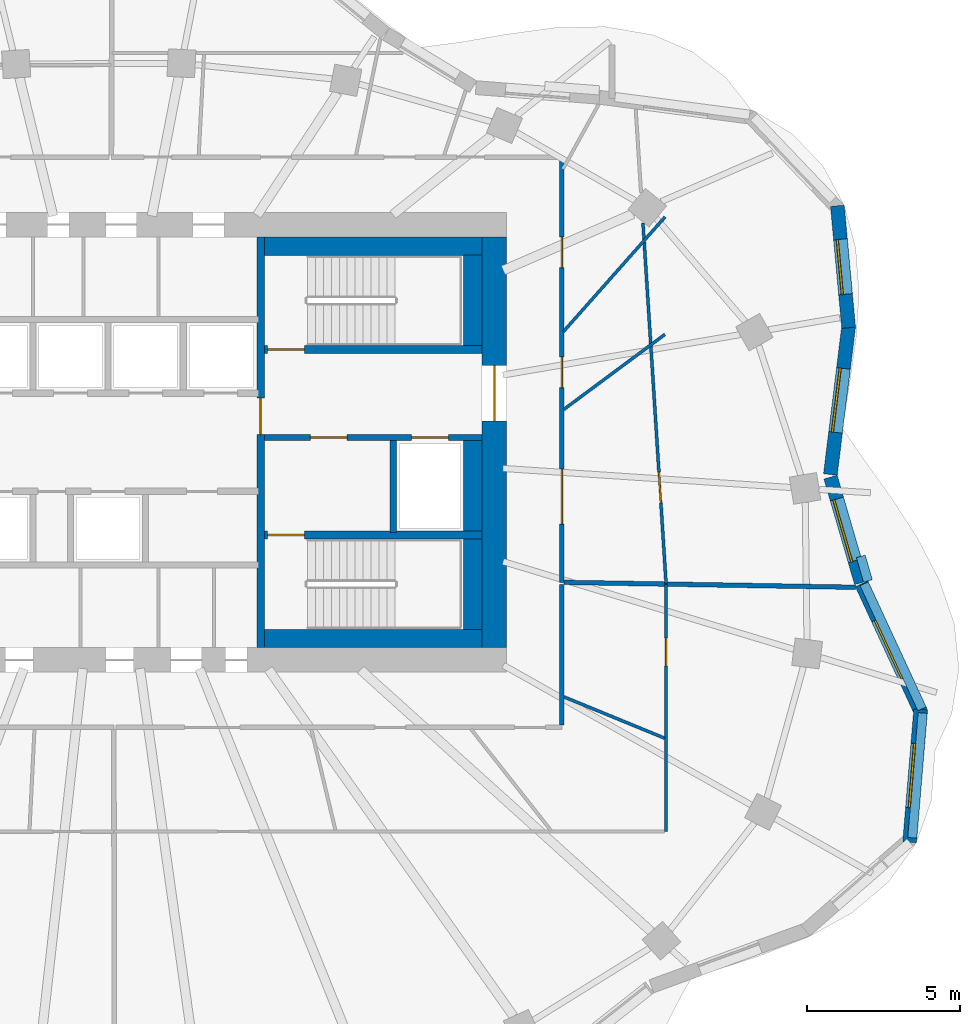
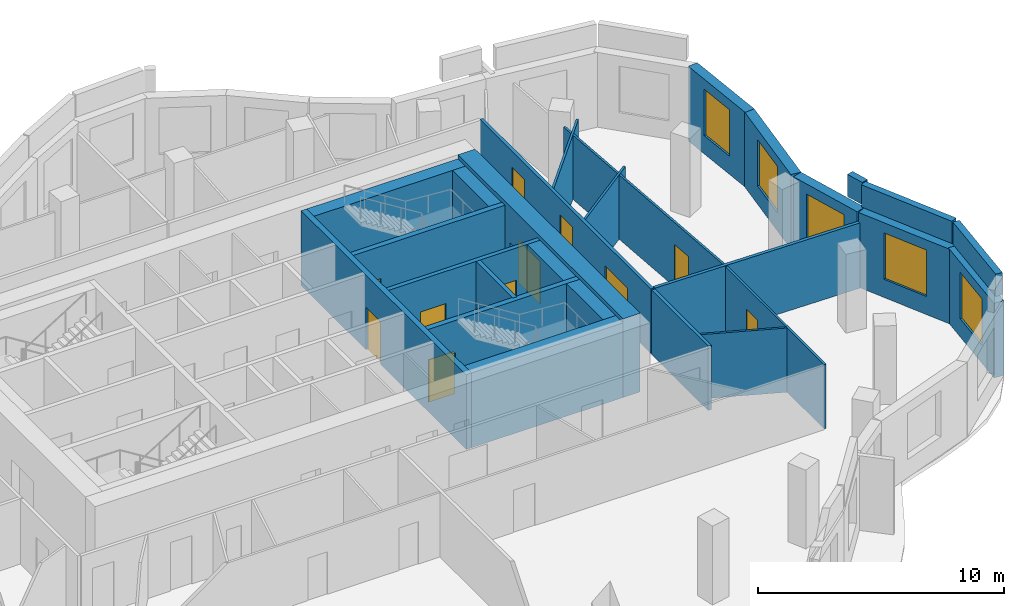
# One storey, part 6 of 9: 27 walls, 11 doors, 5 windows, 16 openings.
"""IFC4 building model written with IfcOpenShell, lengths in metres."""

import ifcopenshell
import ifcopenshell.guid

model = None  # the IFC model being written
_history = None  # IfcOwnerHistory: only IFC2X3 demands one
_inside = {}  # id of a spatial element -> (the spatial element, [elements in it])
_under = {}  # id of a project, library or spatial element -> (it, [spatial elements below it])
_declared = {}  # id of a project -> (the project, [libraries it declares])
_typed = {}  # id of a type object -> (the type object, [elements of that type])
_made_of = {}  # id of a material, layer set ... -> (it, [elements and type objects made of it])


def new_model(schema):
    """Start an empty IFC model of exactly this schema.

    Asked for "IFC4X3", IfcOpenShell would pick the latest addendum, in which some entities
    have other attributes; the version numbers below select the first issue.
    IFC2X3 requires an IfcOwnerHistory on every rooted entity: one is made here for all.
    """
    global model, _history
    if schema == "IFC4X3":
        model = ifcopenshell.file(schema_version=(4, 3, 0, 0))
    else:
        model = ifcopenshell.file(schema=schema)
    _inside.clear()
    _under.clear()
    _declared.clear()
    _typed.clear()
    _made_of.clear()
    _history = None
    if model.schema == "IFC2X3":
        org = make("IfcOrganization", Name="unknown")
        user = make(
            "IfcPersonAndOrganization",
            ThePerson=make("IfcPerson", FamilyName="unknown"),
            TheOrganization=org,
        )
        app = make(
            "IfcApplication",
            ApplicationDeveloper=org,
            Version="unknown",
            ApplicationFullName="unknown",
            ApplicationIdentifier="unknown",
        )
        _history = make(
            "IfcOwnerHistory",
            OwningUser=user,
            OwningApplication=app,
            ChangeAction="ADDED",
            CreationDate=0,
        )
    return model


def make(cls, **values):
    """One entity of the class cls with the attributes given. An attribute that is None is left unset."""
    return model.create_entity(
        cls, **{name: value for name, value in values.items() if value is not None}
    )


def rooted(cls, **values):
    """An entity with a GlobalId (a new one), such as an element, a storey or a relation."""
    return make(cls, GlobalId=ifcopenshell.guid.new(), OwnerHistory=_history, **values)


def si_unit(unit_type, name, prefix=None):
    """IfcSIUnit, for example si_unit("LENGTHUNIT", "METRE", prefix="MILLI")."""
    return make("IfcSIUnit", UnitType=unit_type, Prefix=prefix, Name=name)


def assignment(units):
    """IfcUnitAssignment: the units of a project."""
    return None if units is None else make("IfcUnitAssignment", Units=units)


def point(xyz):
    """IfcCartesianPoint."""
    return None if xyz is None else make("IfcCartesianPoint", Coordinates=xyz)


def direction(xyz):
    """IfcDirection."""
    return None if xyz is None else make("IfcDirection", DirectionRatios=xyz)


def frame(location, z_axis=None, x_axis=None):
    """IfcAxis2Placement3D, a coordinate frame: its origin and axes. An axis left out is left unset."""
    return make(
        "IfcAxis2Placement3D",
        Location=point(location),
        Axis=direction(z_axis),
        RefDirection=direction(x_axis),
    )


def frame_2d(location, x_axis=None):
    """IfcAxis2Placement2D, a coordinate frame in the plane: its origin and x axis."""
    return make(
        "IfcAxis2Placement2D", Location=point(location), RefDirection=direction(x_axis)
    )


def origin():
    """The frame at (0, 0, 0) with its axes left unset."""
    return frame((0.0, 0.0, 0.0))


def place(relative_to, where):
    """IfcLocalPlacement: puts the frame where relative to a parent placement (None: the world)."""
    return make(
        "IfcLocalPlacement", PlacementRelTo=relative_to, RelativePlacement=where
    )


def context(
    kind, dimensions, precision=None, world=None, true_north=None, identifier=None
):
    """IfcGeometricRepresentationContext, for example the 3D "Model" context."""
    return make(
        "IfcGeometricRepresentationContext",
        ContextIdentifier=identifier,
        ContextType=kind,
        CoordinateSpaceDimension=dimensions,
        Precision=precision,
        WorldCoordinateSystem=world,
        TrueNorth=true_north,
    )


def subcontext(parent, identifier, kind, view, scale=None):
    """IfcGeometricRepresentationSubContext, for example "Body" below "Model"."""
    return make(
        "IfcGeometricRepresentationSubContext",
        ContextIdentifier=identifier,
        ContextType=kind,
        ParentContext=parent,
        TargetScale=scale,
        TargetView=view,
    )


def project(units=None, contexts=None):
    """IfcProject with its units and contexts."""
    return rooted(
        "IfcProject",
        Name="project",
        RepresentationContexts=contexts,
        UnitsInContext=assignment(units),
    )


def spatial(cls, under=None, at=None, **own):
    """A site, building, storey or space (cls), placed at a placement, below another one or the project."""
    s = rooted(cls, ObjectPlacement=at, **own)
    if under is not None:
        _under.setdefault(under.id(), (under, []))[1].append(s)
    return s


def profile(cls, at=None, kind="AREA", **sizes):
    """A parametric profile (cls). Its sizes go by their IFC names, for example OverallWidth=200.0."""
    return make(cls, ProfileType=kind, Position=at, **sizes)


def rectangle(**sizes):
    """IfcRectangleProfileDef."""
    return profile("IfcRectangleProfileDef", **sizes)


def extrude(swept, where, along, depth):
    """IfcExtrudedAreaSolid: the profile swept, set in the frame where, extruded along a direction by depth."""
    return make(
        "IfcExtrudedAreaSolid",
        SweptArea=swept,
        Position=where,
        ExtrudedDirection=direction(along),
        Depth=depth,
    )


def shape(context_of_items, identifier, shape_type, items):
    """IfcShapeRepresentation: the items that make up one representation, for example the "Body"."""
    return make(
        "IfcShapeRepresentation",
        ContextOfItems=context_of_items,
        RepresentationIdentifier=identifier,
        RepresentationType=shape_type,
        Items=items,
    )


def material(Name=None, Category=None):
    """IfcMaterial."""
    return make("IfcMaterial", Name=Name, Category=Category)


def layer(
    of_material, thickness, ventilated=None, Name=None, Category=None, Priority=None
):
    """IfcMaterialLayer: one layer of a wall or slab, of a material (None: an air gap)."""
    return make(
        "IfcMaterialLayer",
        Material=of_material,
        LayerThickness=thickness,
        IsVentilated=ventilated,
        Name=Name,
        Category=Category,
        Priority=Priority,
    )


def layer_set(layers, Name=None):
    """IfcMaterialLayerSet."""
    return make("IfcMaterialLayerSet", MaterialLayers=layers, LayerSetName=Name)


def made_of(thing, what):
    """Note that an element or type object is made of a material, layer set ...; save() writes the relation."""
    if what is not None:
        _made_of.setdefault(what.id(), (what, []))[1].append(thing)
    return thing


def type_object(cls, material=None, **own):
    """A type object (cls), such as IfcWallType, which elements share."""
    return made_of(rooted(cls, **own), material)


def element(
    cls,
    number,
    at=None,
    inside=None,
    cuts=None,
    type_object=None,
    material=None,
    context=None,
    identifier="Body",
    shape_type=None,
    held_by="IfcProductDefinitionShape",
    body=None,
    shapes=None,
    **own,
):
    """One element of the class cls, such as IfcWall. Its Tag is "e" and its number.

    at: its placement. inside: the storey or other place that contains it. cuts: it is an
    opening in that element (IfcRelVoidsElement). A single representation is given by context,
    identifier, shape_type and body (its items); several are given by shapes. held_by: the class
    of the entity that holds the representations. save() writes the other relations.
    """
    e = rooted(cls, Tag="e%d" % number, ObjectPlacement=at, **own)
    if body is not None:
        shapes = [shape(context, identifier, shape_type, body)]
    if shapes is not None:
        e.Representation = make(held_by, Representations=shapes)
    if inside is not None:
        _inside.setdefault(inside.id(), (inside, []))[1].append(e)
    if cuts is not None:
        rooted(
            "IfcRelVoidsElement", RelatingBuildingElement=cuts, RelatedOpeningElement=e
        )
    if type_object is not None:
        _typed.setdefault(type_object.id(), (type_object, []))[1].append(e)
    return made_of(e, material)


def fill(opening, filler):
    """IfcRelFillsElement: the door or window that sits in an opening."""
    return rooted(
        "IfcRelFillsElement",
        RelatingOpeningElement=opening,
        RelatedBuildingElement=filler,
    )


def aggregate(whole, parts):
    """IfcRelAggregates: a whole, such as a stair, and the parts it consists of."""
    return rooted("IfcRelAggregates", RelatingObject=whole, RelatedObjects=parts)


def save(model, path):
    """Write the relations noted so far, then the file.

    IfcRelAggregates (storeys below a building ...), IfcRelContainedInSpatialStructure (elements
    in a storey), IfcRelDefinesByType, IfcRelAssociatesMaterial and IfcRelDeclares: one each for
    every whole, place, type object, material and project.
    """
    for whole, parts in _under.values():
        aggregate(whole, parts)
    for where, things in _inside.values():
        rooted(
            "IfcRelContainedInSpatialStructure",
            RelatedElements=things,
            RelatingStructure=where,
        )
    for kind, things in _typed.values():
        rooted("IfcRelDefinesByType", RelatedObjects=things, RelatingType=kind)
    for what, things in _made_of.values():
        rooted("IfcRelAssociatesMaterial", RelatedObjects=things, RelatingMaterial=what)
    for by, libraries in _declared.values():
        rooted("IfcRelDeclares", RelatingContext=by, RelatedDefinitions=libraries)
    model.write(path)


model = new_model("IFC4")

# Units and contexts
model_context = context("Model", 3, precision=1e-05, world=origin(), true_north=direction((0.0, 1.0)))
body_context = subcontext(model_context, "Body", "Model", "MODEL_VIEW")
ifc_project = project(units=[si_unit("LENGTHUNIT", "METRE"), si_unit("AREAUNIT", "SQUARE_METRE"), si_unit("VOLUMEUNIT", "CUBIC_METRE"), si_unit("PLANEANGLEUNIT", "RADIAN"), si_unit("MASSUNIT", "GRAM", prefix="KILO")], contexts=[model_context])

# Site, building, storey
site_placement = place(None, origin())
site = spatial("IfcSite", under=ifc_project, at=site_placement, CompositionType="ELEMENT")
building_placement = place(site_placement, origin())
building = spatial("IfcBuilding", under=site, at=building_placement, Name="Rubra Terraces Tower", CompositionType="ELEMENT")
storey_placement = place(building_placement, frame((0.0, 0.0, 300.0)))
storey = spatial("IfcBuildingStorey", under=building, at=storey_placement, Name="L74", CompositionType="ELEMENT", Elevation=300.0)

# Wall, opening, window
ifc_material_1 = material(Name="Brick masonry red-brown", Category="masonry")
ifc_layer_1 = layer(ifc_material_1, 0.449951171875)
ifc_layer_set_1 = layer_set([ifc_layer_1], Name="Brick masonry red-brown")
wall_type_1 = type_object("IfcWallType", Name="Brick facade wall 450", PredefinedType="SOLIDWALL", material=ifc_layer_set_1)
wall_1_placement = place(storey_placement, frame((24.56689453125, -0.082275390625, 0.0), z_axis=(0.0, 0.0, 1.0), x_axis=(-0.279202919694, 0.960232122788, 0.0)))
wall_1 = element("IfcWall", 1, at=wall_1_placement, inside=storey, type_object=wall_type_1, Name="Facade wall L74 bay 1", PredefinedType="SOLIDWALL", context=body_context, shape_type="SweptSolid", body=[
    extrude(rectangle(XDim=3.587646484375, YDim=0.449951171875, at=frame_2d((1.7939453125, 0.0))), origin(), (0.0, 0.0, 1.0), 3.699951171875),
])
opening_1_placement = place(wall_1_placement, frame((0.743896484375, 0.0, 0.89990234375)))
opening_1 = element("IfcOpeningElement", 2, at=opening_1_placement, cuts=wall_1, Name="Opening W1B", PredefinedType="OPENING", context=body_context, shape_type="SweptSolid", body=[
    extrude(rectangle(XDim=2.10009765625, YDim=2.300048828125, at=frame_2d((1.050048828125, 1.14990234375))), frame((0.0, 0.23486328125, 0.0), z_axis=(0.0, -1.0, 0.0), x_axis=(1.0, 0.0, 0.0)), (0.0, 0.0, 1.0), 0.469970703125),
])
ifc_material_2 = material(Name="Clear glass in aluminium frame", Category="aluminium")
window_type_1 = type_object("IfcWindowType", Name="Fixed deep-set window tall storey 2100 x 2300", PartitioningType="SINGLE_PANEL", PredefinedType="WINDOW", material=ifc_material_2)
window_1_placement = place(opening_1_placement, origin())
window_1 = element("IfcWindow", 3, at=window_1_placement, inside=storey, type_object=window_type_1, Name="Window L74 bay 1", OverallHeight=2.300048828125, OverallWidth=2.10009765625, PartitioningType="SINGLE_PANEL", PredefinedType="WINDOW", context=body_context, shape_type="SweptSolid", body=[
    extrude(rectangle(XDim=2.10009765625, YDim=2.300048828125, at=frame_2d((1.050048828125, 1.14990234375))), frame((0.0, 0.135009765625, 0.0), z_axis=(0.0, -1.0, 0.0), x_axis=(1.0, 0.0, 0.0)), (0.0, 0.0, 1.0), 0.06005859375),
])
fill(opening_1, window_1)

wall_2_placement = place(storey_placement, frame((23.559814453125, 3.447021484375, 0.0), z_axis=(0.0, 0.0, 1.0), x_axis=(0.12231391248, 0.992491464353, 0.0)))
wall_2 = element("IfcWall", 4, at=wall_2_placement, inside=storey, type_object=wall_type_1, Name="Facade wall L74 bay 2", PredefinedType="SOLIDWALL", context=body_context, shape_type="SweptSolid", body=[
    extrude(rectangle(XDim=4.872314453125, YDim=0.449951171875, at=frame_2d((2.43603515625, 0.0))), origin(), (0.0, 0.0, 1.0), 3.699951171875),
])
opening_2_placement = place(wall_2_placement, frame((1.38623046875, 0.0, 0.89990234375)))
opening_2 = element("IfcOpeningElement", 5, at=opening_2_placement, cuts=wall_2, Name="Opening W1B", PredefinedType="OPENING", context=body_context, shape_type="SweptSolid", body=[
    extrude(rectangle(XDim=2.10009765625, YDim=2.300048828125, at=frame_2d((1.050048828125, 1.14990234375))), frame((0.0, 0.23486328125, 0.0), z_axis=(0.0, -1.0, 0.0), x_axis=(1.0, 0.0, 0.0)), (0.0, 0.0, 1.0), 0.469970703125),
])
window_2_placement = place(opening_2_placement, origin())
window_2 = element("IfcWindow", 6, at=window_2_placement, inside=storey, type_object=window_type_1, Name="Window L74 bay 2", OverallHeight=2.300048828125, OverallWidth=2.10009765625, PartitioningType="SINGLE_PANEL", PredefinedType="WINDOW", context=body_context, shape_type="SweptSolid", body=[
    extrude(rectangle(XDim=2.10009765625, YDim=2.300048828125, at=frame_2d((1.050048828125, 1.14990234375))), frame((0.0, 0.135009765625, 0.0), z_axis=(0.0, -1.0, 0.0), x_axis=(1.0, 0.0, 0.0)), (0.0, 0.0, 1.0), 0.06005859375),
])
fill(opening_2, window_2)

wall_3_placement = place(storey_placement, frame((24.155029296875, 8.234619140625, 0.0), z_axis=(0.0, 0.0, 1.0), x_axis=(-0.091874058945, 0.995770634882, 0.0)))
wall_3 = element("IfcWall", 7, at=wall_3_placement, inside=storey, type_object=wall_type_1, Name="Facade wall L74 bay 3", PredefinedType="SOLIDWALL", context=body_context, shape_type="SweptSolid", body=[
    extrude(rectangle(XDim=3.99658203125, YDim=0.449951171875, at=frame_2d((1.998291015625, 0.0))), origin(), (0.0, 0.0, 1.0), 3.699951171875),
])
opening_3_placement = place(wall_3_placement, frame((1.098388671875, 0.0, 0.89990234375)))
opening_3 = element("IfcOpeningElement", 8, at=opening_3_placement, cuts=wall_3, Name="Opening W6B", PredefinedType="OPENING", context=body_context, shape_type="SweptSolid", body=[
    extrude(rectangle(XDim=1.800048828125, YDim=2.300048828125, at=frame_2d((0.89990234375, 1.14990234375))), frame((0.0, 0.23486328125, 0.0), z_axis=(0.0, -1.0, 0.0), x_axis=(1.0, 0.0, 0.0)), (0.0, 0.0, 1.0), 0.469970703125),
])
window_type_2 = type_object("IfcWindowType", Name="Fixed deep-set window at wind fin tall storey 1800 x 2300", PartitioningType="SINGLE_PANEL", PredefinedType="WINDOW", material=ifc_material_2)
window_3_placement = place(opening_3_placement, origin())
window_3 = element("IfcWindow", 9, at=window_3_placement, inside=storey, type_object=window_type_2, Name="Window L74 bay 3", OverallHeight=2.300048828125, OverallWidth=1.800048828125, PartitioningType="SINGLE_PANEL", PredefinedType="WINDOW", context=body_context, shape_type="SweptSolid", body=[
    extrude(rectangle(XDim=1.800048828125, YDim=2.300048828125, at=frame_2d((0.89990234375, 1.14990234375))), frame((0.0, 0.135009765625, 0.0), z_axis=(0.0, -1.0, 0.0), x_axis=(1.0, 0.0, 0.0)), (0.0, 0.0, 1.0), 0.06005859375),
])
fill(opening_3, window_3)

wall_4_placement = place(storey_placement, frame((26.143798828125, -8.54833984375, 0.0), z_axis=(0.0, 0.0, 1.0), x_axis=(0.083268523648, 0.996527146128, 0.0)))
wall_4 = element("IfcWall", 10, at=wall_4_placement, inside=storey, type_object=wall_type_1, Name="Facade wall L74 bay 39", PredefinedType="SOLIDWALL", context=body_context, shape_type="SweptSolid", body=[
    extrude(rectangle(XDim=4.34814453125, YDim=0.449951171875, at=frame_2d((2.174072265625, 0.0))), origin(), (0.0, 0.0, 1.0), 3.699951171875),
])
opening_4_placement = place(wall_4_placement, frame((1.1240234375, 0.0, 0.89990234375)))
opening_4 = element("IfcOpeningElement", 11, at=opening_4_placement, cuts=wall_4, Name="Opening W1B", PredefinedType="OPENING", context=body_context, shape_type="SweptSolid", body=[
    extrude(rectangle(XDim=2.10009765625, YDim=2.300048828125, at=frame_2d((1.050048828125, 1.14990234375))), frame((0.0, 0.23486328125, 0.0), z_axis=(0.0, -1.0, 0.0), x_axis=(1.0, 0.0, 0.0)), (0.0, 0.0, 1.0), 0.469970703125),
])
window_4_placement = place(opening_4_placement, origin())
window_4 = element("IfcWindow", 12, at=window_4_placement, inside=storey, type_object=window_type_1, Name="Window L74 bay 39", OverallHeight=2.300048828125, OverallWidth=2.10009765625, PartitioningType="SINGLE_PANEL", PredefinedType="WINDOW", context=body_context, shape_type="SweptSolid", body=[
    extrude(rectangle(XDim=2.10009765625, YDim=2.300048828125, at=frame_2d((1.050048828125, 1.14990234375))), frame((0.0, 0.135009765625, 0.0), z_axis=(0.0, -1.0, 0.0), x_axis=(1.0, 0.0, 0.0)), (0.0, 0.0, 1.0), 0.06005859375),
])
fill(opening_4, window_4)

wall_5_placement = place(storey_placement, frame((26.523681640625, -4.323974609375, 0.0), z_axis=(0.0, 0.0, 1.0), x_axis=(-0.419579037504, 0.907718806287, 0.0)))
wall_5 = element("IfcWall", 13, at=wall_5_placement, inside=storey, type_object=wall_type_1, Name="Facade wall L74 bay 40", PredefinedType="SOLIDWALL", context=body_context, shape_type="SweptSolid", body=[
    extrude(rectangle(XDim=4.63623046875, YDim=0.449951171875, at=frame_2d((2.318115234375, 0.0))), origin(), (0.0, 0.0, 1.0), 3.699951171875),
])
opening_5_placement = place(wall_5_placement, frame((1.26806640625, 0.0, 0.89990234375)))
opening_5 = element("IfcOpeningElement", 14, at=opening_5_placement, cuts=wall_5, Name="Opening W1B", PredefinedType="OPENING", context=body_context, shape_type="SweptSolid", body=[
    extrude(rectangle(XDim=2.10009765625, YDim=2.300048828125, at=frame_2d((1.050048828125, 1.14990234375))), frame((0.0, 0.23486328125, 0.0), z_axis=(0.0, -1.0, 0.0), x_axis=(1.0, 0.0, 0.0)), (0.0, 0.0, 1.0), 0.469970703125),
])
window_5_placement = place(opening_5_placement, origin())
window_5 = element("IfcWindow", 15, at=window_5_placement, inside=storey, type_object=window_type_1, Name="Window L74 bay 40", OverallHeight=2.300048828125, OverallWidth=2.10009765625, PartitioningType="SINGLE_PANEL", PredefinedType="WINDOW", context=body_context, shape_type="SweptSolid", body=[
    extrude(rectangle(XDim=2.10009765625, YDim=2.300048828125, at=frame_2d((1.050048828125, 1.14990234375))), frame((0.0, 0.135009765625, 0.0), z_axis=(0.0, -1.0, 0.0), x_axis=(1.0, 0.0, 0.0)), (0.0, 0.0, 1.0), 0.06005859375),
])
fill(opening_5, window_5)

# Walls
ifc_layer_2 = layer(ifc_material_1, 0.300048828125)
ifc_layer_set_2 = layer_set([ifc_layer_2], Name="Brick masonry red-brown")
wall_type_2 = type_object("IfcWallType", Name="Brick parapet 300", PredefinedType="PARAPET", material=ifc_layer_set_2)
wall_6_placement = place(storey_placement, frame((24.78466796875, -0.025634765625, 3.89990234375), z_axis=(0.0, 0.0, 1.0), x_axis=(-0.279261128564, 0.96021519571, 0.0)))
element("IfcWall", 16, at=wall_6_placement, inside=storey, type_object=wall_type_2, Name="Parapet L74 bay 1", PredefinedType="PARAPET", context=body_context, shape_type="SweptSolid", body=[
    extrude(rectangle(XDim=0.83740234375, YDim=0.300048828125, at=frame_2d((0.418701171875, 0.0))), origin(), (0.0, 0.0, 1.0), 1.10009765625),
])
wall_7_placement = place(storey_placement, frame((26.231201171875, -8.403564453125, 3.89990234375), z_axis=(0.0, 0.0, 1.0), x_axis=(0.083203659887, 0.996532563934, 0.0)))
element("IfcWall", 17, at=wall_7_placement, inside=storey, type_object=wall_type_2, Name="Parapet L74 bay 39", PredefinedType="PARAPET", context=body_context, shape_type="SweptSolid", body=[
    extrude(rectangle(XDim=4.08740234375, YDim=0.300048828125, at=frame_2d((2.043701171875, 0.0))), origin(), (0.0, 0.0, 1.0), 1.10009765625),
])
wall_8_placement = place(storey_placement, frame((26.548095703125, -4.19775390625, 3.89990234375), z_axis=(0.0, 0.0, 1.0), x_axis=(-0.419598608408, 0.907709759682, 0.0)))
element("IfcWall", 18, at=wall_8_placement, inside=storey, type_object=wall_type_2, Name="Parapet L74 bay 40", PredefinedType="PARAPET", context=body_context, shape_type="SweptSolid", body=[
    extrude(rectangle(XDim=4.4970703125, YDim=0.300048828125, at=frame_2d((2.24853515625, 0.0))), origin(), (0.0, 0.0, 1.0), 1.10009765625),
])

# Wall, opening, door
ifc_material_3 = material(Name="Concrete C50", Category="concrete")
ifc_layer_3 = layer(ifc_material_3, 0.800048828125)
ifc_layer_set_3 = layer_set([ifc_layer_3], Name="Concrete C50")
wall_type_3 = type_object("IfcWallType", Name="CORE WALL 800 C50", PredefinedType="SHEAR", material=ifc_layer_set_3)
wall_9_placement = place(storey_placement, frame((12.60009765625, -2.199951171875, 0.0), z_axis=(0.0, 0.0, 1.0), x_axis=(0.0, 1.0, 0.0)))
wall_9 = element("IfcWall", 19, at=wall_9_placement, inside=storey, type_object=wall_type_3, Name="CORE WALL E L74", PredefinedType="SHEAR", context=body_context, shape_type="SweptSolid", body=[
    extrude(rectangle(XDim=13.39990234375, YDim=0.800048828125, at=frame_2d((6.699951171875, 0.0))), origin(), (0.0, 0.0, 1.0), 3.89990234375),
])
opening_6_placement = place(wall_9_placement, frame((7.39990234375, 0.0, 0.0)))
opening_6 = element("IfcOpeningElement", 20, at=opening_6_placement, cuts=wall_9, Name="Opening L74.C02", PredefinedType="OPENING", context=body_context, shape_type="SweptSolid", body=[
    extrude(rectangle(XDim=1.800048828125, YDim=2.10009765625, at=frame_2d((0.89990234375, 1.050048828125))), frame((0.0, 0.409912109375, 0.0), z_axis=(0.0, -1.0, 0.0), x_axis=(1.0, 0.0, 0.0)), (0.0, 0.0, 1.0), 0.820068359375),
])
ifc_material_4 = material(Name="Painted steel", Category="steel")
door_type_1 = type_object("IfcDoorType", Name="Fire door 1800x2100 double", OperationType="NOTDEFINED", PredefinedType="DOOR", material=ifc_material_4)
door_1_placement = place(opening_6_placement, origin())
door_1 = element("IfcDoor", 21, at=door_1_placement, inside=storey, type_object=door_type_1, Name="Core entrance door FF2", OperationType="DOUBLE_DOOR_SINGLE_SWING", OverallHeight=2.10009765625, OverallWidth=1.800048828125, PredefinedType="DOOR", context=body_context, shape_type="SweptSolid", body=[
    extrude(rectangle(XDim=1.800048828125, YDim=2.10009765625, at=frame_2d((0.89990234375, 1.050048828125))), frame((0.0, 0.02490234375, 0.0), z_axis=(0.0, -1.0, 0.0), x_axis=(1.0, 0.0, 0.0)), (0.0, 0.0, 1.0), 0.050048828125),
])
fill(opening_6, door_1)

# Wall, openings, doors
ifc_material_5 = material(Name="Plasterboard on steel stud, mineral wool infill", Category="steel")
ifc_layer_4 = layer(ifc_material_5, 0.14990234375)
ifc_layer_set_4 = layer_set([ifc_layer_4], Name="Plasterboard on steel stud, mineral wool infill")
wall_type_4 = type_object("IfcWallType", Name="CORRIDOR PARTITION 150", PredefinedType="PARTITIONING", material=ifc_layer_set_4)
wall_10_placement = place(storey_placement, frame((14.800048828125, -0.06884765625, 0.0), z_axis=(0.0, 0.0, 1.0), x_axis=(0.0, 1.0, 0.0)))
wall_10 = element("IfcWall", 22, at=wall_10_placement, inside=storey, type_object=wall_type_4, Name="PARTITION", PredefinedType="PARTITIONING", context=body_context, shape_type="SweptSolid", body=[
    extrude(rectangle(XDim=13.868896484375, YDim=0.14990234375, at=frame_2d((6.9345703125, 0.0))), origin(), (0.0, 0.0, 1.0), 3.197998046875),
])
opening_7_placement = place(wall_10_placement, frame((1.89599609375, 0.0, 0.0)))
opening_7 = element("IfcOpeningElement", 23, at=opening_7_placement, cuts=wall_10, Name="Opening 74-101", PredefinedType="OPENING", context=body_context, shape_type="SweptSolid", body=[
    extrude(rectangle(XDim=1.800048828125, YDim=2.10009765625, at=frame_2d((0.89990234375, 1.050048828125))), frame((0.0, 0.0849609375, 0.0), z_axis=(0.0, -1.0, 0.0), x_axis=(1.0, 0.0, 0.0)), (0.0, 0.0, 1.0), 0.169921875),
])
opening_8_placement = place(wall_10_placement, frame((6.35498046875, 0.0, 0.0)))
opening_8 = element("IfcOpeningElement", 24, at=opening_8_placement, cuts=wall_10, Name="Opening 74-103", PredefinedType="OPENING", context=body_context, shape_type="SweptSolid", body=[
    extrude(rectangle(XDim=1.0, YDim=2.39990234375, at=frame_2d((0.5, 1.199951171875))), frame((0.0, 0.0849609375, 0.0), z_axis=(0.0, -1.0, 0.0), x_axis=(1.0, 0.0, 0.0)), (0.0, 0.0, 1.0), 0.169921875),
])
opening_9_placement = place(wall_10_placement, frame((10.26708984375, 0.0, 0.0)))
opening_9 = element("IfcOpeningElement", 25, at=opening_9_placement, cuts=wall_10, Name="Opening 74-104", PredefinedType="OPENING", context=body_context, shape_type="SweptSolid", body=[
    extrude(rectangle(XDim=1.0, YDim=2.39990234375, at=frame_2d((0.5, 1.199951171875))), frame((0.0, 0.0849609375, 0.0), z_axis=(0.0, -1.0, 0.0), x_axis=(1.0, 0.0, 0.0)), (0.0, 0.0, 1.0), 0.169921875),
])
ifc_material_6 = material(Name="Glazed aluminium meeting door leaf", Category="aluminium")
door_type_2 = type_object("IfcDoorType", Name="MEETING ROOM GLAZED DOOR 1000 X 2400", OperationType="SINGLE_SWING_LEFT", PredefinedType="DOOR", material=ifc_material_6)
door_2_placement = place(opening_8_placement, origin())
door_2 = element("IfcDoor", 26, at=door_2_placement, inside=storey, type_object=door_type_2, Name="DOOR 74-103", OperationType="SINGLE_SWING_RIGHT", OverallHeight=2.39990234375, OverallWidth=1.0, PredefinedType="DOOR", context=body_context, shape_type="SweptSolid", body=[
    extrude(rectangle(XDim=1.0, YDim=2.39990234375, at=frame_2d((0.5, 1.199951171875))), frame((0.0, 0.02490234375, 0.0), z_axis=(0.0, -1.0, 0.0), x_axis=(1.0, 0.0, 0.0)), (0.0, 0.0, 1.0), 0.050048828125),
])
fill(opening_8, door_2)
door_3_placement = place(opening_9_placement, origin())
door_3 = element("IfcDoor", 27, at=door_3_placement, inside=storey, type_object=door_type_2, Name="DOOR 74-104", OperationType="SINGLE_SWING_RIGHT", OverallHeight=2.39990234375, OverallWidth=1.0, PredefinedType="DOOR", context=body_context, shape_type="SweptSolid", body=[
    extrude(rectangle(XDim=1.0, YDim=2.39990234375, at=frame_2d((0.5, 1.199951171875))), frame((0.0, 0.02490234375, 0.0), z_axis=(0.0, -1.0, 0.0), x_axis=(1.0, 0.0, 0.0)), (0.0, 0.0, 1.0), 0.050048828125),
])
fill(opening_9, door_3)
ifc_material_7 = material(Name="Painted timber door leaf, double", Category="wood")
door_type_3 = type_object("IfcDoorType", Name="ROOM DOUBLE DOOR 1800 X 2100", OperationType="DOUBLE_DOOR_SINGLE_SWING", PredefinedType="DOOR", material=ifc_material_7)
door_4_placement = place(opening_7_placement, origin())
door_4 = element("IfcDoor", 28, at=door_4_placement, inside=storey, type_object=door_type_3, Name="DOOR 74-101", OperationType="DOUBLE_DOOR_SINGLE_SWING", OverallHeight=2.10009765625, OverallWidth=1.800048828125, PredefinedType="DOOR", context=body_context, shape_type="SweptSolid", body=[
    extrude(rectangle(XDim=1.800048828125, YDim=2.10009765625, at=frame_2d((0.89990234375, 1.050048828125))), frame((0.0, 0.02490234375, 0.0), z_axis=(0.0, -1.0, 0.0), x_axis=(1.0, 0.0, 0.0)), (0.0, 0.0, 1.0), 0.050048828125),
])
fill(opening_7, door_4)

# Walls
wall_11_placement = place(storey_placement, frame((14.800048828125, -4.72509765625, 0.0), z_axis=(0.0, 0.0, 1.0), x_axis=(0.0, 1.0, 0.0)))
element("IfcWall", 29, at=wall_11_placement, inside=storey, type_object=wall_type_4, Name="PARTITION", PredefinedType="PARTITIONING", context=body_context, shape_type="SweptSolid", body=[
    extrude(rectangle(XDim=4.581298828125, YDim=0.14990234375, at=frame_2d((2.29052734375, 0.0))), origin(), (0.0, 0.0, 1.0), 3.197998046875),
])
ifc_material_8 = material(Name="Concrete C40", Category="concrete")
ifc_layer_5 = layer(ifc_material_8, 0.60009765625)
ifc_layer_set_5 = layer_set([ifc_layer_5], Name="Concrete C40")
wall_type_5 = type_object("IfcWallType", Name="Core lining wall 600 concrete", PredefinedType="SOLIDWALL", material=ifc_layer_set_5)
wall_12_placement = place(storey_placement, frame((12.199951171875, 10.89990234375, 0.0), z_axis=(0.0, 0.0, 1.0), x_axis=(-1.0, 0.0, 0.0)))
element("IfcWall", 30, at=wall_12_placement, inside=storey, type_object=wall_type_5, Name="CORE LINING WALL L74", PredefinedType="SOLIDWALL", context=body_context, shape_type="SweptSolid", body=[
    extrude(rectangle(XDim=7.099853515625, YDim=0.60009765625, at=frame_2d((3.5498046875, 0.0))), origin(), (0.0, 0.0, 1.0), 3.699951171875),
])
wall_13_placement = place(storey_placement, frame((11.89990234375, 10.60009765625, 0.0), z_axis=(0.0, 0.0, 1.0), x_axis=(0.0, -1.0, 0.0)))
element("IfcWall", 31, at=wall_13_placement, inside=storey, type_object=wall_type_5, Name="CORE LINING WALL L74", PredefinedType="SOLIDWALL", context=body_context, shape_type="SweptSolid", body=[
    extrude(rectangle(XDim=2.9501953125, YDim=0.60009765625, at=frame_2d((1.47509765625, 0.0))), origin(), (0.0, 0.0, 1.0), 3.699951171875),
])
wall_14_placement = place(storey_placement, frame((11.89990234375, 4.550048828125, 0.0), z_axis=(0.0, 0.0, 1.0), x_axis=(0.0, -1.0, 0.0)))
element("IfcWall", 32, at=wall_14_placement, inside=storey, type_object=wall_type_5, Name="CORE LINING WALL L74", PredefinedType="SOLIDWALL", context=body_context, shape_type="SweptSolid", body=[
    extrude(rectangle(XDim=3.0, YDim=0.60009765625, at=frame_2d((1.5, 0.0))), origin(), (0.0, 0.0, 1.0), 3.699951171875),
])
wall_15_placement = place(storey_placement, frame((11.89990234375, 1.35009765625, 0.0), z_axis=(0.0, 0.0, 1.0), x_axis=(0.0, -1.0, 0.0)))
element("IfcWall", 33, at=wall_15_placement, inside=storey, type_object=wall_type_5, Name="CORE LINING WALL L74", PredefinedType="SOLIDWALL", context=body_context, shape_type="SweptSolid", body=[
    extrude(rectangle(XDim=2.9501953125, YDim=0.60009765625, at=frame_2d((1.47509765625, 0.0))), origin(), (0.0, 0.0, 1.0), 3.699951171875),
])
wall_16_placement = place(storey_placement, frame((12.199951171875, -1.89990234375, 0.0), z_axis=(0.0, 0.0, 1.0), x_axis=(-1.0, 0.0, 0.0)))
element("IfcWall", 34, at=wall_16_placement, inside=storey, type_object=wall_type_5, Name="CORE LINING WALL L74", PredefinedType="SOLIDWALL", context=body_context, shape_type="SweptSolid", body=[
    extrude(rectangle(XDim=7.099853515625, YDim=0.60009765625, at=frame_2d((3.5498046875, 0.0))), origin(), (0.0, 0.0, 1.0), 3.699951171875),
])

# Wall, openings, doors
ifc_material_9 = material(Name="Concrete C30", Category="concrete")
ifc_layer_6 = layer(ifc_material_9, 0.199951171875)
ifc_layer_set_6 = layer_set([ifc_layer_6], Name="Concrete C30")
wall_type_6 = type_object("IfcWallType", Name="Core wall 200 concrete", PredefinedType="SOLIDWALL", material=ifc_layer_set_6)
wall_17_placement = place(storey_placement, frame((12.199951171875, 4.64990234375, 0.0), z_axis=(0.0, 0.0, 1.0), x_axis=(-1.0, 0.0, 0.0)))
wall_17 = element("IfcWall", 35, at=wall_17_placement, inside=storey, type_object=wall_type_6, Name="STAIR WALL L74", PredefinedType="SOLIDWALL", context=body_context, shape_type="SweptSolid", body=[
    extrude(rectangle(XDim=7.099853515625, YDim=0.199951171875, at=frame_2d((3.5498046875, 0.0))), origin(), (0.0, 0.0, 1.0), 3.699951171875),
])
opening_10_placement = place(wall_17_placement, frame((4.39990234375, 0.0, 0.0)))
opening_10 = element("IfcOpeningElement", 36, at=opening_10_placement, cuts=wall_17, Name="Opening L74.C06", PredefinedType="OPENING", context=body_context, shape_type="SweptSolid", body=[
    extrude(rectangle(XDim=1.199951171875, YDim=2.10009765625, at=frame_2d((0.60009765625, 1.050048828125))), frame((0.0, 0.10986328125, 0.0), z_axis=(0.0, -1.0, 0.0), x_axis=(1.0, 0.0, 0.0)), (0.0, 0.0, 1.0), 0.219970703125),
])
opening_11_placement = place(wall_17_placement, frame((1.10009765625, 0.0, 0.0)))
opening_11 = element("IfcOpeningElement", 37, at=opening_11_placement, cuts=wall_17, Name="Opening L74.C12", PredefinedType="OPENING", context=body_context, shape_type="SweptSolid", body=[
    extrude(rectangle(XDim=1.199951171875, YDim=2.10009765625, at=frame_2d((0.60009765625, 1.050048828125))), frame((0.0, 0.10986328125, 0.0), z_axis=(0.0, -1.0, 0.0), x_axis=(1.0, 0.0, 0.0)), (0.0, 0.0, 1.0), 0.219970703125),
])
door_type_4 = type_object("IfcDoorType", Name="Fire door 1200x2100 single", OperationType="NOTDEFINED", PredefinedType="DOOR", material=ifc_material_4)
door_5_placement = place(opening_10_placement, origin())
door_5 = element("IfcDoor", 38, at=door_5_placement, inside=storey, type_object=door_type_4, Name="Stair vestibule door S4", OperationType="SINGLE_SWING_RIGHT", OverallHeight=2.10009765625, OverallWidth=1.199951171875, PredefinedType="DOOR", context=body_context, shape_type="SweptSolid", body=[
    extrude(rectangle(XDim=1.199951171875, YDim=2.10009765625, at=frame_2d((0.60009765625, 1.050048828125))), frame((0.0, 0.02490234375, 0.0), z_axis=(0.0, -1.0, 0.0), x_axis=(1.0, 0.0, 0.0)), (0.0, 0.0, 1.0), 0.050048828125),
])
fill(opening_10, door_5)
ifc_material_10 = material(Name="Stainless steel", Category="steel")
door_type_5 = type_object("IfcDoorType", Name="Lift landing door 1200x2100", OperationType="NOTDEFINED", PredefinedType="DOOR", material=ifc_material_10)
door_6_placement = place(opening_11_placement, origin())
door_6 = element("IfcDoor", 39, at=door_6_placement, inside=storey, type_object=door_type_5, Name="Landing door FF2", OperationType="SLIDING_TO_RIGHT", OverallHeight=2.10009765625, OverallWidth=1.199951171875, PredefinedType="DOOR", context=body_context, shape_type="SweptSolid", body=[
    extrude(rectangle(XDim=1.199951171875, YDim=2.10009765625, at=frame_2d((0.60009765625, 1.050048828125))), frame((0.0, 0.02490234375, 0.0), z_axis=(0.0, -1.0, 0.0), x_axis=(1.0, 0.0, 0.0)), (0.0, 0.0, 1.0), 0.050048828125),
])
fill(opening_11, door_6)

# Wall
wall_18_placement = place(storey_placement, frame((9.300048828125, 4.550048828125, 0.0), z_axis=(0.0, 0.0, 1.0), x_axis=(0.0, -1.0, 0.0)))
element("IfcWall", 40, at=wall_18_placement, inside=storey, type_object=wall_type_6, Name="STAIR WALL L74", PredefinedType="SOLIDWALL", context=body_context, shape_type="SweptSolid", body=[
    extrude(rectangle(XDim=3.0, YDim=0.199951171875, at=frame_2d((1.5, 0.0))), origin(), (0.0, 0.0, 1.0), 3.699951171875),
])

# Wall, opening, door
ifc_material_11 = material(Name="Plasterboard on steel stud", Category="steel")
ifc_layer_7 = layer(ifc_material_11, 0.10009765625)
ifc_layer_set_7 = layer_set([ifc_layer_7], Name="Plasterboard on steel stud")
wall_type_7 = type_object("IfcWallType", Name="ROOM PARTITION 100", PredefinedType="PARTITIONING", material=ifc_layer_set_7)
wall_19_placement = place(storey_placement, frame((17.447265625, 11.654296875, 0.0), z_axis=(0.0, 0.0, 1.0), x_axis=(0.063870484703, -0.99795819611, 0.0)))
wall_19 = element("IfcWall", 41, at=wall_19_placement, inside=storey, type_object=wall_type_7, Name="PARTITION", PredefinedType="PARTITIONING", context=body_context, shape_type="SweptSolid", body=[
    extrude(rectangle(XDim=11.78466796875, YDim=0.10009765625, at=frame_2d((5.892333984375, 0.0))), origin(), (0.0, 0.0, 1.0), 3.18408203125),
])
opening_12_placement = place(wall_19_placement, frame((8.14697265625, 0.0, 0.0)))
opening_12 = element("IfcOpeningElement", 42, at=opening_12_placement, cuts=wall_19, Name="Opening 74-102", PredefinedType="OPENING", context=body_context, shape_type="SweptSolid", body=[
    extrude(rectangle(XDim=1.0, YDim=2.10009765625, at=frame_2d((0.5, 1.050048828125))), frame((0.0, 0.06005859375, 0.0), z_axis=(0.0, -1.0, 0.0), x_axis=(1.0, 0.0, 0.0)), (0.0, 0.0, 1.0), 0.1201171875),
])
ifc_material_12 = material(Name="Painted timber door leaf", Category="wood")
door_type_6 = type_object("IfcDoorType", Name="ROOM DOOR 1000 X 2100", OperationType="SINGLE_SWING_LEFT", PredefinedType="DOOR", material=ifc_material_12)
door_7_placement = place(opening_12_placement, origin())
door_7 = element("IfcDoor", 43, at=door_7_placement, inside=storey, type_object=door_type_6, Name="DOOR 74-102", OperationType="SINGLE_SWING_LEFT", OverallHeight=2.10009765625, OverallWidth=1.0, PredefinedType="DOOR", context=body_context, shape_type="SweptSolid", body=[
    extrude(rectangle(XDim=1.0, YDim=2.10009765625, at=frame_2d((0.5, 1.050048828125))), frame((0.0, 0.02490234375, 0.0), z_axis=(0.0, -1.0, 0.0), x_axis=(1.0, 0.0, 0.0)), (0.0, 0.0, 1.0), 0.050048828125),
])
fill(opening_12, door_7)

# Walls
wall_20_placement = place(storey_placement, frame((14.860107421875, 5.56689453125, 0.0), z_axis=(0.0, 0.0, 1.0), x_axis=(0.803012729879, 0.595961874328, 0.0)))
element("IfcWall", 44, at=wall_20_placement, inside=storey, type_object=wall_type_7, Name="PARTITION", PredefinedType="PARTITIONING", context=body_context, shape_type="SweptSolid", body=[
    extrude(rectangle(XDim=4.109375, YDim=0.10009765625, at=frame_2d((2.0546875, 0.0))), origin(), (0.0, 0.0, 1.0), 3.18408203125),
])
wall_21_placement = place(storey_placement, frame((14.849609375, 8.10595703125, 0.0), z_axis=(0.0, 0.0, 1.0), x_axis=(0.663305650233, 0.748348591479, 0.0)))
element("IfcWall", 45, at=wall_21_placement, inside=storey, type_object=wall_type_7, Name="PARTITION", PredefinedType="PARTITIONING", context=body_context, shape_type="SweptSolid", body=[
    extrude(rectangle(XDim=5.0009765625, YDim=0.10009765625, at=frame_2d((2.50048828125, 0.0))), origin(), (0.0, 0.0, 1.0), 3.18408203125),
])

# Wall, opening, door
wall_22_placement = place(storey_placement, frame((18.199951171875, -0.146240234375, 0.0), z_axis=(0.0, 0.0, 1.0), x_axis=(0.0, -1.0, 0.0)))
wall_22 = element("IfcWall", 46, at=wall_22_placement, inside=storey, type_object=wall_type_7, Name="PARTITION", PredefinedType="PARTITIONING", context=body_context, shape_type="SweptSolid", body=[
    extrude(rectangle(XDim=8.0537109375, YDim=0.10009765625, at=frame_2d((4.02685546875, 0.0))), origin(), (0.0, 0.0, 1.0), 3.18408203125),
])
opening_13_placement = place(wall_22_placement, frame((1.743896484375, 0.0, 0.0)))
opening_13 = element("IfcOpeningElement", 47, at=opening_13_placement, cuts=wall_22, Name="Opening 74-121", PredefinedType="OPENING", context=body_context, shape_type="SweptSolid", body=[
    extrude(rectangle(XDim=0.89990234375, YDim=2.10009765625, at=frame_2d((0.449951171875, 1.050048828125))), frame((0.0, 0.06005859375, 0.0), z_axis=(0.0, -1.0, 0.0), x_axis=(1.0, 0.0, 0.0)), (0.0, 0.0, 1.0), 0.1201171875),
])
door_type_7 = type_object("IfcDoorType", Name="ROOM DOOR 900 X 2100", OperationType="SINGLE_SWING_LEFT", PredefinedType="DOOR", material=ifc_material_12)
door_8_placement = place(opening_13_placement, origin())
door_8 = element("IfcDoor", 48, at=door_8_placement, inside=storey, type_object=door_type_7, Name="DOOR 74-121", OperationType="SINGLE_SWING_RIGHT", OverallHeight=2.10009765625, OverallWidth=0.89990234375, PredefinedType="DOOR", context=body_context, shape_type="SweptSolid", body=[
    extrude(rectangle(XDim=0.89990234375, YDim=2.10009765625, at=frame_2d((0.449951171875, 1.050048828125))), frame((0.0, 0.02490234375, 0.0), z_axis=(0.0, -1.0, 0.0), x_axis=(1.0, 0.0, 0.0)), (0.0, 0.0, 1.0), 0.050048828125),
])
fill(opening_13, door_8)

# Walls
wall_23_placement = place(storey_placement, frame((14.869384765625, -3.80517578125, 0.0), z_axis=(0.0, 0.0, 1.0), x_axis=(0.925100495969, -0.379722362205, 0.0)))
element("IfcWall", 49, at=wall_23_placement, inside=storey, type_object=wall_type_7, Name="PARTITION", PredefinedType="PARTITIONING", context=body_context, shape_type="SweptSolid", body=[
    extrude(rectangle(XDim=3.55029296875, YDim=0.10009765625, at=frame_2d((1.775146484375, 0.0))), origin(), (0.0, 0.0, 1.0), 3.18408203125),
])
ifc_layer_8 = layer(ifc_material_11, 0.14990234375)
ifc_layer_set_8 = layer_set([ifc_layer_8], Name="Plasterboard on steel stud")
wall_type_8 = type_object("IfcWallType", Name="ROOM PARTITION 150", PredefinedType="PARTITIONING", material=ifc_layer_set_8)
wall_24_placement = place(storey_placement, frame((24.3837890625, -0.230712890625, 0.0), z_axis=(0.0, 0.0, 1.0), x_axis=(-0.999857754758, 0.016866245889, 0.0)))
element("IfcWall", 50, at=wall_24_placement, inside=storey, type_object=wall_type_8, Name="PARTITION", PredefinedType="PARTITIONING", context=body_context, shape_type="SweptSolid", body=[
    extrude(rectangle(XDim=9.51025390625, YDim=0.14990234375, at=frame_2d((4.755126953125, 0.0))), origin(), (0.0, 0.0, 1.0), 3.23388671875),
])

# Wall, opening, door
ifc_layer_9 = layer(ifc_material_8, 0.25)
ifc_layer_set_9 = layer_set([ifc_layer_9], Name="Concrete C40")
wall_type_9 = type_object("IfcWallType", Name="Stair enclosure wall 250 concrete", PredefinedType="SOLIDWALL", material=ifc_layer_set_9)
wall_25_placement = place(storey_placement, frame((12.199951171875, 7.52490234375, 0.0), z_axis=(0.0, 0.0, 1.0), x_axis=(-1.0, 0.0, 0.0)))
wall_25 = element("IfcWall", 51, at=wall_25_placement, inside=storey, type_object=wall_type_9, Name="STAIR WALL L74", PredefinedType="SOLIDWALL", context=body_context, shape_type="SweptSolid", body=[
    extrude(rectangle(XDim=7.099853515625, YDim=0.25, at=frame_2d((3.5498046875, 0.0))), origin(), (0.0, 0.0, 1.0), 3.699951171875),
])
opening_14_placement = place(wall_25_placement, frame((5.800048828125, 0.0, 0.0)))
opening_14 = element("IfcOpeningElement", 52, at=opening_14_placement, cuts=wall_25, Name="Opening L74.C08", PredefinedType="OPENING", context=body_context, shape_type="SweptSolid", body=[
    extrude(rectangle(XDim=1.199951171875, YDim=2.10009765625, at=frame_2d((0.60009765625, 1.050048828125))), frame((0.0, 0.135009765625, 0.0), z_axis=(0.0, -1.0, 0.0), x_axis=(1.0, 0.0, 0.0)), (0.0, 0.0, 1.0), 0.27001953125),
])
door_9_placement = place(opening_14_placement, origin())
door_9 = element("IfcDoor", 53, at=door_9_placement, inside=storey, type_object=door_type_4, Name="Stair door S3", OperationType="SINGLE_SWING_RIGHT", OverallHeight=2.10009765625, OverallWidth=1.199951171875, PredefinedType="DOOR", context=body_context, shape_type="SweptSolid", body=[
    extrude(rectangle(XDim=1.199951171875, YDim=2.10009765625, at=frame_2d((0.60009765625, 1.050048828125))), frame((0.0, 0.02490234375, 0.0), z_axis=(0.0, -1.0, 0.0), x_axis=(1.0, 0.0, 0.0)), (0.0, 0.0, 1.0), 0.050048828125),
])
fill(opening_14, door_9)

wall_26_placement = place(storey_placement, frame((12.199951171875, 1.47509765625, 0.0), z_axis=(0.0, 0.0, 1.0), x_axis=(-1.0, 0.0, 0.0)))
wall_26 = element("IfcWall", 54, at=wall_26_placement, inside=storey, type_object=wall_type_9, Name="STAIR WALL L74", PredefinedType="SOLIDWALL", context=body_context, shape_type="SweptSolid", body=[
    extrude(rectangle(XDim=7.099853515625, YDim=0.25, at=frame_2d((3.5498046875, 0.0))), origin(), (0.0, 0.0, 1.0), 3.699951171875),
])
opening_15_placement = place(wall_26_placement, frame((5.800048828125, 0.0, 0.0)))
opening_15 = element("IfcOpeningElement", 55, at=opening_15_placement, cuts=wall_26, Name="Opening L74.C10", PredefinedType="OPENING", context=body_context, shape_type="SweptSolid", body=[
    extrude(rectangle(XDim=1.199951171875, YDim=2.10009765625, at=frame_2d((0.60009765625, 1.050048828125))), frame((0.0, 0.135009765625, 0.0), z_axis=(0.0, -1.0, 0.0), x_axis=(1.0, 0.0, 0.0)), (0.0, 0.0, 1.0), 0.27001953125),
])
door_10_placement = place(opening_15_placement, origin())
door_10 = element("IfcDoor", 56, at=door_10_placement, inside=storey, type_object=door_type_4, Name="Stair door S4", OperationType="SINGLE_SWING_RIGHT", OverallHeight=2.10009765625, OverallWidth=1.199951171875, PredefinedType="DOOR", context=body_context, shape_type="SweptSolid", body=[
    extrude(rectangle(XDim=1.199951171875, YDim=2.10009765625, at=frame_2d((0.60009765625, 1.050048828125))), frame((0.0, 0.02490234375, 0.0), z_axis=(0.0, -1.0, 0.0), x_axis=(1.0, 0.0, 0.0)), (0.0, 0.0, 1.0), 0.050048828125),
])
fill(opening_15, door_10)

wall_27_placement = place(storey_placement, frame((4.97509765625, 11.199951171875, 0.0), z_axis=(0.0, 0.0, 1.0), x_axis=(0.0, -1.0, 0.0)))
wall_27 = element("IfcWall", 57, at=wall_27_placement, inside=storey, type_object=wall_type_9, Name="CORE LOBBY WALL L74", PredefinedType="SOLIDWALL", context=body_context, shape_type="SweptSolid", body=[
    extrude(rectangle(XDim=13.39990234375, YDim=0.25, at=frame_2d((6.699951171875, 0.0))), origin(), (0.0, 0.0, 1.0), 3.699951171875),
])
opening_16_placement = place(wall_27_placement, frame((5.25, 0.0, 0.0)))
opening_16 = element("IfcOpeningElement", 58, at=opening_16_placement, cuts=wall_27, Name="Opening L74.C04", PredefinedType="OPENING", context=body_context, shape_type="SweptSolid", body=[
    extrude(rectangle(XDim=1.199951171875, YDim=2.10009765625, at=frame_2d((0.60009765625, 1.050048828125))), frame((0.0, 0.135009765625, 0.0), z_axis=(0.0, -1.0, 0.0), x_axis=(1.0, 0.0, 0.0)), (0.0, 0.0, 1.0), 0.27001953125),
])
door_11_placement = place(opening_16_placement, origin())
door_11 = element("IfcDoor", 59, at=door_11_placement, inside=storey, type_object=door_type_4, Name="Firefighting lobby door FF2", OperationType="SINGLE_SWING_RIGHT", OverallHeight=2.10009765625, OverallWidth=1.199951171875, PredefinedType="DOOR", context=body_context, shape_type="SweptSolid", body=[
    extrude(rectangle(XDim=1.199951171875, YDim=2.10009765625, at=frame_2d((0.60009765625, 1.050048828125))), frame((0.0, 0.02490234375, 0.0), z_axis=(0.0, -1.0, 0.0), x_axis=(1.0, 0.0, 0.0)), (0.0, 0.0, 1.0), 0.050048828125),
])
fill(opening_16, door_11)

save(model, "model.ifc")
